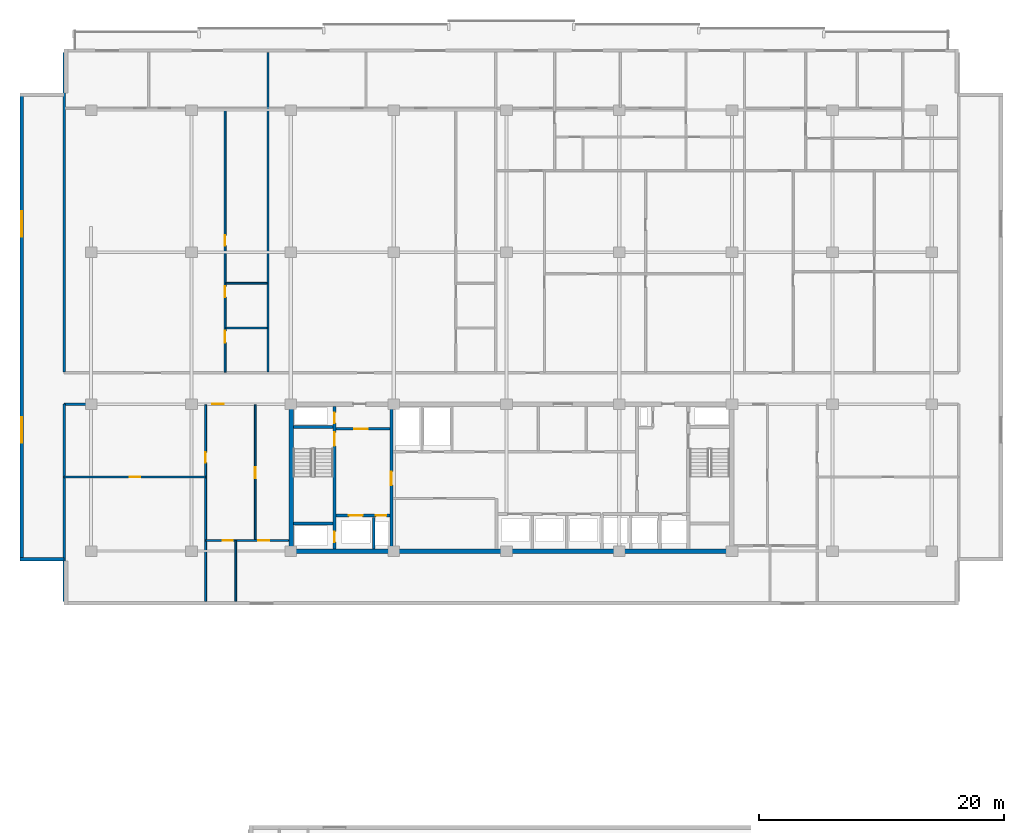
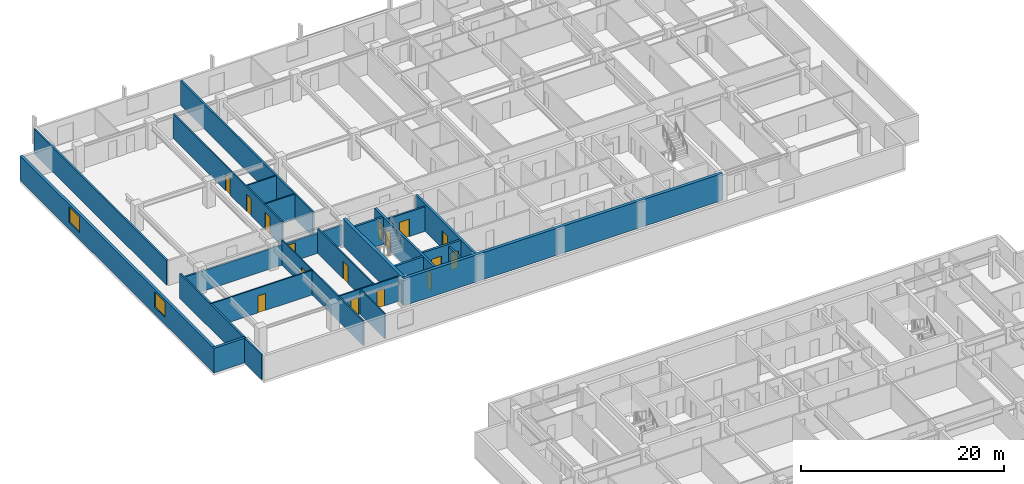
# One storey, part 11 of 22: 23 walls, 16 doors, 2 windows, 18 openings.
"""IFC4 building model written with IfcOpenShell, lengths in metres."""

from ifc_helpers import new_model, si_unit, direction, frame, frame_2d, origin, place, context, subcontext, project, spatial, rectangle, extrude, material, layer, layer_set, type_object, element, fill, save


model = new_model("IFC4")

# Units and contexts
model_context = context("Model", 3, precision=1e-05, world=origin(), true_north=direction((0.0, 1.0)))
body_context = subcontext(model_context, "Body", "Model", "MODEL_VIEW")
ifc_project = project(units=[si_unit("LENGTHUNIT", "METRE"), si_unit("AREAUNIT", "SQUARE_METRE"), si_unit("VOLUMEUNIT", "CUBIC_METRE"), si_unit("PLANEANGLEUNIT", "RADIAN"), si_unit("MASSUNIT", "GRAM", prefix="KILO")], contexts=[model_context])

# Site, building, storey
site_placement = place(None, origin())
site = spatial("IfcSite", under=ifc_project, at=site_placement, CompositionType="ELEMENT")
building_placement = place(site_placement, origin())
building = spatial("IfcBuilding", under=site, at=building_placement, Name="Korimba Cascade Residences", CompositionType="ELEMENT")
storey_placement = place(building_placement, frame((0.0, 0.0, 126.300048828125)))
storey = spatial("IfcBuildingStorey", under=building, at=storey_placement, Name="L36", CompositionType="ELEMENT", Elevation=126.300048828125)

# Wall, openings, windows
ifc_material_1 = material(Name="Precast concrete C40/50", Category="concrete")
ifc_layer_1 = layer(ifc_material_1, 0.300048828125)
ifc_layer_set_1 = layer_set([ifc_layer_1], Name="Precast concrete C40/50")
wall_type_1 = type_object("IfcWallType", Name="EW-STONE-300", PredefinedType="STANDARD", material=ifc_layer_set_1)
wall_1_placement = place(storey_placement, frame((54.14990234375, 92.60009765625, 0.0), z_axis=(0.0, 0.0, 1.0), x_axis=(0.0, -1.0, 0.0)))
wall_1 = element("IfcWall", 1, at=wall_1_placement, inside=storey, type_object=wall_type_1, Name="L36 T1 Perimeter Stone Wall E09", PredefinedType="STANDARD", context=body_context, shape_type="SweptSolid", body=[
    extrude(rectangle(XDim=38.2001953125, YDim=0.300048828125, at=frame_2d((19.10009765625, 0.0))), origin(), (0.0, 0.0, 1.0), 2.969970703125),
])
opening_1_placement = place(wall_1_placement, frame((9.64599609375, 0.0, 0.85009765625)))
opening_1 = element("IfcOpeningElement", 2, at=opening_1_placement, cuts=wall_1, Name="Opening W-03", PredefinedType="OPENING", context=body_context, shape_type="SweptSolid", body=[
    extrude(rectangle(XDim=2.10009765625, YDim=1.85009765625, at=frame_2d((1.050048828125, 0.925048828125))), frame((0.0, 0.16015625, 0.0), z_axis=(0.0, -1.0, 0.0), x_axis=(1.0, 0.0, 0.0)), (0.0, 0.0, 1.0), 0.320068359375),
])
opening_2_placement = place(wall_1_placement, frame((26.4541015625, 0.0, 0.85009765625)))
opening_2 = element("IfcOpeningElement", 3, at=opening_2_placement, cuts=wall_1, Name="Opening W-03", PredefinedType="OPENING", context=body_context, shape_type="SweptSolid", body=[
    extrude(rectangle(XDim=2.10009765625, YDim=1.85009765625, at=frame_2d((1.050048828125, 0.925048828125))), frame((0.0, 0.16015625, 0.0), z_axis=(0.0, -1.0, 0.0), x_axis=(1.0, 0.0, 0.0)), (0.0, 0.0, 1.0), 0.320068359375),
])
ifc_material_2 = material(Name="Double-Glazed Aluminium Window", Category="aluminium")
window_type = type_object("IfcWindowType", Name="WIN-CRN-2100", PartitioningType="DOUBLE_PANEL_HORIZONTAL", PredefinedType="WINDOW", material=ifc_material_2)
window_1_placement = place(opening_1_placement, origin())
window_1 = element("IfcWindow", 4, at=window_1_placement, inside=storey, type_object=window_type, Name="L36 T1 End View Window 9.1", OverallHeight=1.85009765625, OverallWidth=2.10009765625, PartitioningType="DOUBLE_PANEL_HORIZONTAL", PredefinedType="WINDOW", context=body_context, shape_type="SweptSolid", body=[
    extrude(rectangle(XDim=2.10009765625, YDim=1.85009765625, at=frame_2d((1.050048828125, 0.925048828125))), frame((0.0, 0.030029296875, 0.0), z_axis=(0.0, -1.0, 0.0), x_axis=(1.0, 0.0, 0.0)), (0.0, 0.0, 1.0), 0.06005859375),
])
fill(opening_1, window_1)
window_2_placement = place(opening_2_placement, origin())
window_2 = element("IfcWindow", 5, at=window_2_placement, inside=storey, type_object=window_type, Name="L36 T1 End View Window 9.2", OverallHeight=1.85009765625, OverallWidth=2.10009765625, PartitioningType="DOUBLE_PANEL_HORIZONTAL", PredefinedType="WINDOW", context=body_context, shape_type="SweptSolid", body=[
    extrude(rectangle(XDim=2.10009765625, YDim=1.85009765625, at=frame_2d((1.050048828125, 0.925048828125))), frame((0.0, 0.030029296875, 0.0), z_axis=(0.0, -1.0, 0.0), x_axis=(1.0, 0.0, 0.0)), (0.0, 0.0, 1.0), 0.06005859375),
])
fill(opening_2, window_2)

# Walls
wall_2_placement = place(storey_placement, frame((54.0, 54.550048828125, 0.0), z_axis=(0.0, 0.0, 1.0), x_axis=(1.0, 0.0, 0.0)))
element("IfcWall", 6, at=wall_2_placement, inside=storey, type_object=wall_type_1, Name="L36 T1 Perimeter Stone Wall E10", PredefinedType="STANDARD", context=body_context, shape_type="SweptSolid", body=[
    extrude(rectangle(XDim=3.60009765625, YDim=0.300048828125, at=frame_2d((1.800048828125, 0.0))), origin(), (0.0, 0.0, 1.0), 2.969970703125),
])
ifc_material_3 = material(Name="Concrete C65/80", Category="concrete")
ifc_layer_2 = layer(ifc_material_3, 0.35009765625)
ifc_layer_set_2 = layer_set([ifc_layer_2], Name="Concrete C65/80")
wall_type_2 = type_object("IfcWallType", Name="WAL-CORE-350", PredefinedType="SHEAR", material=ifc_layer_set_2)
wall_3_placement = place(storey_placement, frame((75.949951171875, 55.199951171875, 0.0), z_axis=(0.0, 0.0, 1.0), x_axis=(1.0, 0.0, 0.0)))
element("IfcWall", 7, at=wall_3_placement, inside=storey, type_object=wall_type_2, Name="L36 Core Shear Wall CW-L36-T1-S", PredefinedType="SHEAR", context=body_context, shape_type="SweptSolid", body=[
    extrude(rectangle(XDim=36.300048828125, YDim=0.35009765625, at=frame_2d((18.14990234375, 0.0))), origin(), (0.0, 0.0, 1.0), 3.25),
])
wall_4_placement = place(storey_placement, frame((76.125, 55.375, 0.0), z_axis=(0.0, 0.0, 1.0), x_axis=(0.0, 1.0, 0.0)))
element("IfcWall", 8, at=wall_4_placement, inside=storey, type_object=wall_type_2, Name="L36 Core Shear Wall CW-L36-T1-W", PredefinedType="SHEAR", context=body_context, shape_type="SweptSolid", body=[
    extrude(rectangle(XDim=11.64990234375, YDim=0.35009765625, at=frame_2d((5.824951171875, 0.0))), origin(), (0.0, 0.0, 1.0), 3.25),
])
ifc_layer_3 = layer(ifc_material_1, 0.199951171875)
ifc_layer_set_3 = layer_set([ifc_layer_3], Name="Precast concrete C40/50")
wall_type_3 = type_object("IfcWallType", Name="WAL-IT-200", PredefinedType="PARTITIONING", material=ifc_layer_set_3)
wall_5_placement = place(storey_placement, frame((57.60009765625, 51.10009765625, 0.0), z_axis=(0.0, 0.0, 1.0), x_axis=(0.0, 1.0, 0.0)))
element("IfcWall", 9, at=wall_5_placement, inside=storey, type_object=wall_type_3, Name="L36 Partition Wall WAL-L36-T1-FW-WL", PredefinedType="PARTITIONING", context=body_context, shape_type="SweptSolid", body=[
    extrude(rectangle(XDim=16.099853515625, YDim=0.199951171875, at=frame_2d((8.0498046875, 0.0))), origin(), (0.0, 0.0, 1.0), 2.969970703125),
])

# Wall, opening, door
wall_6_placement = place(storey_placement, frame((57.60009765625, 67.199951171875, 0.0), z_axis=(0.0, 0.0, 1.0), x_axis=(1.0, 0.0, 0.0)))
wall_6 = element("IfcWall", 10, at=wall_6_placement, inside=storey, type_object=wall_type_3, Name="L36 Partition Wall WAL-L36-T1-FW-N", PredefinedType="PARTITIONING", context=body_context, shape_type="SweptSolid", body=[
    extrude(rectangle(XDim=18.349853515625, YDim=0.199951171875, at=frame_2d((9.1748046875, 0.0))), origin(), (0.0, 0.0, 1.0), 2.433349609375),
])
opening_3_placement = place(wall_6_placement, frame((12.07470703125, 0.0, 0.0)))
opening_3 = element("IfcOpeningElement", 11, at=opening_3_placement, cuts=wall_6, Name="Opening D-UN1", PredefinedType="OPENING", context=body_context, shape_type="SweptSolid", body=[
    extrude(rectangle(XDim=0.949951171875, YDim=2.14990234375, at=frame_2d((0.47509765625, 1.074951171875))), frame((0.0, 0.10986328125, 0.0), z_axis=(0.0, -1.0, 0.0), x_axis=(1.0, 0.0, 0.0)), (0.0, 0.0, 1.0), 0.219970703125),
])
ifc_material_4 = material(Name="Fire-Rated Hardwood Apartment Entrance Door", Category="wood")
door_type_1 = type_object("IfcDoorType", Name="DR-FD60-950", OperationType="NOTDEFINED", PredefinedType="DOOR", material=ifc_material_4)
door_1_placement = place(opening_3_placement, origin())
door_1 = element("IfcDoor", 12, at=door_1_placement, inside=storey, type_object=door_type_1, Name="L36-T1-FW Entrance Door", OperationType="SINGLE_SWING_RIGHT", OverallHeight=2.14990234375, OverallWidth=0.949951171875, PredefinedType="DOOR", context=body_context, shape_type="SweptSolid", body=[
    extrude(rectangle(XDim=0.949951171875, YDim=2.14990234375, at=frame_2d((0.47509765625, 1.074951171875))), frame((0.0, 0.02490234375, 0.0), z_axis=(0.0, -1.0, 0.0), x_axis=(1.0, 0.0, 0.0)), (0.0, 0.0, 1.0), 0.050048828125),
])
fill(opening_3, door_1)

# Walls
for number, where, z_axis, x_axis, name in (
    (13, (57.60009765625, 69.830078125, 0.0), (0.0, 0.0, 1.0), (0.0, 1.0, 0.0), "L36 Partition Wall WAL-L36-T1-BNDWL"),
    (14, (74.237548828125, 69.830078125, 0.0), (0.0, 0.0, 1.0), (0.0, 1.0, 0.0), "L36 Partition Wall WAL-L36-T1-DEM-1"),
):
    element("IfcWall", number, at=place(storey_placement, frame(where, z_axis=z_axis, x_axis=x_axis)), inside=storey, type_object=wall_type_3, Name=name, PredefinedType="PARTITIONING", context=body_context, shape_type="SweptSolid", body=[
        extrude(rectangle(XDim=26.06982421875, YDim=0.199951171875, at=frame_2d((13.034912109375, 0.0))), origin(), (0.0, 0.0, 1.0), 2.969970703125),
    ])

# Wall, opening, door
ifc_material_5 = material(Name="Insulated Acoustic Stud Partition", Category="gypsum")
ifc_layer_4 = layer(ifc_material_5, 0.14990234375)
ifc_layer_set_4 = layer_set([ifc_layer_4], Name="Insulated Acoustic Stud Partition")
wall_type_4 = type_object("IfcWallType", Name="WAL-PART-150", PredefinedType="PARTITIONING", material=ifc_layer_set_4)
wall_7_placement = place(storey_placement, frame((57.60009765625, 61.25, 0.0), z_axis=(0.0, 0.0, 1.0), x_axis=(1.0, 0.0, 0.0)))
wall_7 = element("IfcWall", 15, at=wall_7_placement, inside=storey, type_object=wall_type_4, Name="L36 Partition Wall WAL-L36-T1-FW-STH", PredefinedType="PARTITIONING", context=body_context, shape_type="SweptSolid", body=[
    extrude(rectangle(XDim=11.5498046875, YDim=0.14990234375, at=frame_2d((5.77490234375, 0.0))), origin(), (0.0, 0.0, 1.0), 2.969970703125),
])
opening_4_placement = place(wall_7_placement, frame((5.35498046875, 0.0, 0.0)))
opening_4 = element("IfcOpeningElement", 16, at=opening_4_placement, cuts=wall_7, Name="Opening D-BT1", PredefinedType="OPENING", context=body_context, shape_type="SweptSolid", body=[
    extrude(rectangle(XDim=0.840087890625, YDim=2.0400390625, at=frame_2d((0.419921875, 1.02001953125))), frame((0.0, 0.0849609375, 0.0), z_axis=(0.0, -1.0, 0.0), x_axis=(1.0, 0.0, 0.0)), (0.0, 0.0, 1.0), 0.169921875),
])
ifc_material_6 = material(Name="Moisture-Resistant Bathroom Timber Door", Category="wood")
door_type_2 = type_object("IfcDoorType", Name="DR-INT-850", OperationType="NOTDEFINED", PredefinedType="DOOR", material=ifc_material_6)
door_2_placement = place(opening_4_placement, origin())
door_2 = element("IfcDoor", 17, at=door_2_placement, inside=storey, type_object=door_type_2, Name="L36-T1-FW Dressing Store Door", OperationType="SINGLE_SWING_LEFT", OverallHeight=2.0400390625, OverallWidth=0.840087890625, PredefinedType="DOOR", context=body_context, shape_type="SweptSolid", body=[
    extrude(rectangle(XDim=0.840087890625, YDim=2.0400390625, at=frame_2d((0.419921875, 1.02001953125))), frame((0.0, 0.02490234375, 0.0), z_axis=(0.0, -1.0, 0.0), x_axis=(1.0, 0.0, 0.0)), (0.0, 0.0, 1.0), 0.050048828125),
])
fill(opening_4, door_2)

wall_8_placement = place(storey_placement, frame((69.14990234375, 51.10009765625, 0.0), z_axis=(0.0, 0.0, 1.0), x_axis=(0.0, 1.0, 0.0)))
wall_8 = element("IfcWall", 18, at=wall_8_placement, inside=storey, type_object=wall_type_4, Name="L36 Partition Wall WAL-L36-T1-FW-STV", PredefinedType="PARTITIONING", context=body_context, shape_type="SweptSolid", body=[
    extrude(rectangle(XDim=16.0498046875, YDim=0.14990234375, at=frame_2d((8.02490234375, 0.0))), origin(), (0.0, 0.0, 1.0), 2.969970703125),
])
opening_5_placement = place(wall_8_placement, frame((11.300048828125, 0.0, 0.0)))
opening_5 = element("IfcOpeningElement", 19, at=opening_5_placement, cuts=wall_8, Name="Opening D-IN2", PredefinedType="OPENING", context=body_context, shape_type="SweptSolid", body=[
    extrude(rectangle(XDim=0.8798828125, YDim=2.06005859375, at=frame_2d((0.43994140625, 1.030029296875))), frame((0.0, 0.0849609375, 0.0), z_axis=(0.0, -1.0, 0.0), x_axis=(1.0, 0.0, 0.0)), (0.0, 0.0, 1.0), 0.169921875),
])
ifc_material_7 = material(Name="Acoustic Timber Bedroom Door", Category="wood")
door_type_3 = type_object("IfcDoorType", Name="DR-INT-880", OperationType="NOTDEFINED", PredefinedType="DOOR", material=ifc_material_7)
door_3_placement = place(opening_5_placement, origin())
door_3 = element("IfcDoor", 20, at=door_3_placement, inside=storey, type_object=door_type_3, Name="L36-T1-FW Study Door", OperationType="SINGLE_SWING_RIGHT", OverallHeight=2.06005859375, OverallWidth=0.8798828125, PredefinedType="DOOR", context=body_context, shape_type="SweptSolid", body=[
    extrude(rectangle(XDim=0.8798828125, YDim=2.06005859375, at=frame_2d((0.43994140625, 1.030029296875))), frame((0.0, 0.02490234375, 0.0), z_axis=(0.0, -1.0, 0.0), x_axis=(1.0, 0.0, 0.0)), (0.0, 0.0, 1.0), 0.050048828125),
])
fill(opening_5, door_3)

wall_9_placement = place(storey_placement, frame((73.199951171875, 56.070068359375, 0.0), z_axis=(0.0, 0.0, 1.0), x_axis=(0.0, 1.0, 0.0)))
wall_9 = element("IfcWall", 21, at=wall_9_placement, inside=storey, type_object=wall_type_4, Name="L36 Partition Wall WAL-L36-T1-FW-VN", PredefinedType="PARTITIONING", context=body_context, shape_type="SweptSolid", body=[
    extrude(rectangle(XDim=11.079833984375, YDim=0.14990234375, at=frame_2d((5.5400390625, 0.0))), origin(), (0.0, 0.0, 1.0), 2.969970703125),
])
opening_6_placement = place(wall_9_placement, frame((5.080078125, 0.0, 0.0)))
opening_6 = element("IfcOpeningElement", 22, at=opening_6_placement, cuts=wall_9, Name="Opening D-IN1", PredefinedType="OPENING", context=body_context, shape_type="SweptSolid", body=[
    extrude(rectangle(XDim=0.919921875, YDim=2.080078125, at=frame_2d((0.4599609375, 1.0400390625))), frame((0.0, 0.0849609375, 0.0), z_axis=(0.0, -1.0, 0.0), x_axis=(1.0, 0.0, 0.0)), (0.0, 0.0, 1.0), 0.169921875),
])
ifc_material_8 = material(Name="Acoustic Timber Living Door", Category="wood")
door_type_4 = type_object("IfcDoorType", Name="DR-INT-920", OperationType="NOTDEFINED", PredefinedType="DOOR", material=ifc_material_8)
door_4_placement = place(opening_6_placement, origin())
door_4 = element("IfcDoor", 23, at=door_4_placement, inside=storey, type_object=door_type_4, Name="L36-T1-FW Living Door", OperationType="SINGLE_SWING_LEFT", OverallHeight=2.080078125, OverallWidth=0.919921875, PredefinedType="DOOR", context=body_context, shape_type="SweptSolid", body=[
    extrude(rectangle(XDim=0.919921875, YDim=2.080078125, at=frame_2d((0.4599609375, 1.0400390625))), frame((0.0, 0.02490234375, 0.0), z_axis=(0.0, -1.0, 0.0), x_axis=(1.0, 0.0, 0.0)), (0.0, 0.0, 1.0), 0.050048828125),
])
fill(opening_6, door_4)

# Wall
wall_10_placement = place(storey_placement, frame((71.60009765625, 51.10009765625, 0.0), z_axis=(0.0, 0.0, 1.0), x_axis=(0.0, 1.0, 0.0)))
element("IfcWall", 24, at=wall_10_placement, inside=storey, type_object=wall_type_4, Name="L36 Partition Wall WAL-L36-T1-FW-VS", PredefinedType="PARTITIONING", context=body_context, shape_type="SweptSolid", body=[
    extrude(rectangle(XDim=4.969970703125, YDim=0.14990234375, at=frame_2d((2.48486328125, 0.0))), origin(), (0.0, 0.0, 1.0), 2.969970703125),
])

# Wall, openings, doors
wall_11_placement = place(storey_placement, frame((69.169921875, 56.070068359375, 0.0), z_axis=(0.0, 0.0, 1.0), x_axis=(1.0, 0.0, 0.0)))
wall_11 = element("IfcWall", 25, at=wall_11_placement, inside=storey, type_object=wall_type_4, Name="L36 Partition Wall WAL-L36-T1-FW-H", PredefinedType="PARTITIONING", context=body_context, shape_type="SweptSolid", body=[
    extrude(rectangle(XDim=6.760009765625, YDim=0.14990234375, at=frame_2d((3.3798828125, 0.0))), origin(), (0.0, 0.0, 1.0), 2.969970703125),
])
opening_7_placement = place(wall_11_placement, frame((1.3623046875, 0.0, 0.0)))
opening_7 = element("IfcOpeningElement", 26, at=opening_7_placement, cuts=wall_11, Name="Opening D-BT1", PredefinedType="OPENING", context=body_context, shape_type="SweptSolid", body=[
    extrude(rectangle(XDim=0.840087890625, YDim=2.0400390625, at=frame_2d((0.419921875, 1.02001953125))), frame((0.0, 0.0849609375, 0.0), z_axis=(0.0, -1.0, 0.0), x_axis=(1.0, 0.0, 0.0)), (0.0, 0.0, 1.0), 0.169921875),
])
opening_8_placement = place(wall_11_placement, frame((4.276611328125, 0.0, 0.0)))
opening_8 = element("IfcOpeningElement", 27, at=opening_8_placement, cuts=wall_11, Name="Opening D-IN2", PredefinedType="OPENING", context=body_context, shape_type="SweptSolid", body=[
    extrude(rectangle(XDim=0.8798828125, YDim=2.06005859375, at=frame_2d((0.43994140625, 1.030029296875))), frame((0.0, 0.0849609375, 0.0), z_axis=(0.0, -1.0, 0.0), x_axis=(1.0, 0.0, 0.0)), (0.0, 0.0, 1.0), 0.169921875),
])
door_5_placement = place(opening_7_placement, origin())
door_5 = element("IfcDoor", 28, at=door_5_placement, inside=storey, type_object=door_type_2, Name="L36-T1-FW Bathroom Door", OperationType="SINGLE_SWING_RIGHT", OverallHeight=2.0400390625, OverallWidth=0.840087890625, PredefinedType="DOOR", context=body_context, shape_type="SweptSolid", body=[
    extrude(rectangle(XDim=0.840087890625, YDim=2.0400390625, at=frame_2d((0.419921875, 1.02001953125))), frame((0.0, 0.02490234375, 0.0), z_axis=(0.0, -1.0, 0.0), x_axis=(1.0, 0.0, 0.0)), (0.0, 0.0, 1.0), 0.050048828125),
])
fill(opening_7, door_5)
door_6_placement = place(opening_8_placement, origin())
door_6 = element("IfcDoor", 29, at=door_6_placement, inside=storey, type_object=door_type_3, Name="L36-T1-FW Bedroom Door", OperationType="SINGLE_SWING_LEFT", OverallHeight=2.06005859375, OverallWidth=0.8798828125, PredefinedType="DOOR", context=body_context, shape_type="SweptSolid", body=[
    extrude(rectangle(XDim=0.8798828125, YDim=2.06005859375, at=frame_2d((0.43994140625, 1.030029296875))), frame((0.0, 0.02490234375, 0.0), z_axis=(0.0, -1.0, 0.0), x_axis=(1.0, 0.0, 0.0)), (0.0, 0.0, 1.0), 0.050048828125),
])
fill(opening_8, door_6)

# Walls
for number, where, z_axis, x_axis, name in (
    (30, (70.797607421875, 73.419921875, 0.0), (0.0, 0.0, 1.0), (1.0, 0.0, 0.0), "L36 Partition Wall WAL-L36-T1-U01-WCH"),
    (31, (70.797607421875, 77.070068359375, 0.0), (0.0, 0.0, 1.0), (1.0, 0.0, 0.0), "L36 Partition Wall WAL-L36-T1-U01-WCH2"),
):
    element("IfcWall", number, at=place(storey_placement, frame(where, z_axis=z_axis, x_axis=x_axis)), inside=storey, type_object=wall_type_4, Name=name, PredefinedType="PARTITIONING", context=body_context, shape_type="SweptSolid", body=[
        extrude(rectangle(XDim=3.35986328125, YDim=0.14990234375, at=frame_2d((1.679931640625, 0.0))), origin(), (0.0, 0.0, 1.0), 2.969970703125),
    ])

# Wall, openings, doors
wall_12_placement = place(storey_placement, frame((70.737548828125, 69.81005859375, 0.0), z_axis=(0.0, 0.0, 1.0), x_axis=(0.0, 1.0, 0.0)))
wall_12 = element("IfcWall", 32, at=wall_12_placement, inside=storey, type_object=wall_type_4, Name="L36 Partition Wall WAL-L36-T1-U01-WCV", PredefinedType="PARTITIONING", context=body_context, shape_type="SweptSolid", body=[
    extrude(rectangle(XDim=21.47998046875, YDim=0.14990234375, at=frame_2d((10.739990234375, 0.0))), origin(), (0.0, 0.0, 1.0), 2.969970703125),
])
opening_9_placement = place(wall_12_placement, frame((2.406005859375, 0.0, 0.0)))
opening_9 = element("IfcOpeningElement", 33, at=opening_9_placement, cuts=wall_12, Name="Opening D-AC1", PredefinedType="OPENING", context=body_context, shape_type="SweptSolid", body=[
    extrude(rectangle(XDim=0.9599609375, YDim=2.10009765625, at=frame_2d((0.47998046875, 1.050048828125))), frame((0.0, 0.0849609375, 0.0), z_axis=(0.0, -1.0, 0.0), x_axis=(1.0, 0.0, 0.0)), (0.0, 0.0, 1.0), 0.169921875),
])
opening_10_placement = place(wall_12_placement, frame((6.132568359375, 0.0, 0.0)))
opening_10 = element("IfcOpeningElement", 34, at=opening_10_placement, cuts=wall_12, Name="Opening D-IN2", PredefinedType="OPENING", context=body_context, shape_type="SweptSolid", body=[
    extrude(rectangle(XDim=0.8798828125, YDim=2.06005859375, at=frame_2d((0.43994140625, 1.030029296875))), frame((0.0, 0.0849609375, 0.0), z_axis=(0.0, -1.0, 0.0), x_axis=(1.0, 0.0, 0.0)), (0.0, 0.0, 1.0), 0.169921875),
])
opening_11_placement = place(wall_12_placement, frame((10.320068359375, 0.0, 0.0)))
opening_11 = element("IfcOpeningElement", 35, at=opening_11_placement, cuts=wall_12, Name="Opening D-BT1", PredefinedType="OPENING", context=body_context, shape_type="SweptSolid", body=[
    extrude(rectangle(XDim=0.840087890625, YDim=2.0400390625, at=frame_2d((0.419921875, 1.02001953125))), frame((0.0, 0.0849609375, 0.0), z_axis=(0.0, -1.0, 0.0), x_axis=(1.0, 0.0, 0.0)), (0.0, 0.0, 1.0), 0.169921875),
])
ifc_material_9 = material(Name="Accessible Acoustic Timber WC Door", Category="wood")
door_type_5 = type_object("IfcDoorType", Name="DR-ACC-950", OperationType="NOTDEFINED", PredefinedType="DOOR", material=ifc_material_9)
door_7_placement = place(opening_9_placement, origin())
door_7 = element("IfcDoor", 36, at=door_7_placement, inside=storey, type_object=door_type_5, Name="L36-T1-U01 Accessible WC Door", OperationType="SINGLE_SWING_LEFT", OverallHeight=2.10009765625, OverallWidth=0.9599609375, PredefinedType="DOOR", context=body_context, shape_type="SweptSolid", body=[
    extrude(rectangle(XDim=0.9599609375, YDim=2.10009765625, at=frame_2d((0.47998046875, 1.050048828125))), frame((0.0, 0.02490234375, 0.0), z_axis=(0.0, -1.0, 0.0), x_axis=(1.0, 0.0, 0.0)), (0.0, 0.0, 1.0), 0.050048828125),
])
fill(opening_9, door_7)
door_8_placement = place(opening_11_placement, origin())
door_8 = element("IfcDoor", 37, at=door_8_placement, inside=storey, type_object=door_type_2, Name="L36-T1-U01 Suite Store Door", OperationType="SINGLE_SWING_LEFT", OverallHeight=2.0400390625, OverallWidth=0.840087890625, PredefinedType="DOOR", context=body_context, shape_type="SweptSolid", body=[
    extrude(rectangle(XDim=0.840087890625, YDim=2.0400390625, at=frame_2d((0.419921875, 1.02001953125))), frame((0.0, 0.02490234375, 0.0), z_axis=(0.0, -1.0, 0.0), x_axis=(1.0, 0.0, 0.0)), (0.0, 0.0, 1.0), 0.050048828125),
])
fill(opening_11, door_8)
door_9_placement = place(opening_10_placement, origin())
door_9 = element("IfcDoor", 38, at=door_9_placement, inside=storey, type_object=door_type_3, Name="L36-T1-U01 Restroom WC Door", OperationType="SINGLE_SWING_RIGHT", OverallHeight=2.06005859375, OverallWidth=0.8798828125, PredefinedType="DOOR", context=body_context, shape_type="SweptSolid", body=[
    extrude(rectangle(XDim=0.8798828125, YDim=2.06005859375, at=frame_2d((0.43994140625, 1.030029296875))), frame((0.0, 0.02490234375, 0.0), z_axis=(0.0, -1.0, 0.0), x_axis=(1.0, 0.0, 0.0)), (0.0, 0.0, 1.0), 0.050048828125),
])
fill(opening_10, door_9)

# Wall
ifc_material_10 = material(Name="Concrete C40/50", Category="concrete")
ifc_layer_5 = layer(ifc_material_10, 0.199951171875)
ifc_layer_set_5 = layer_set([ifc_layer_5], Name="Concrete C40/50")
wall_type_5 = type_object("IfcWallType", Name="WAL-PART-200", PredefinedType="PARTITIONING", material=ifc_layer_set_5)
wall_13_placement = place(storey_placement, frame((82.85009765625, 55.39990234375, 0.0), z_axis=(0.0, 0.0, 1.0), x_axis=(0.0, 1.0, 0.0)))
element("IfcWall", 39, at=wall_13_placement, inside=storey, type_object=wall_type_5, Name="L36 Partition Wall CW-L36-T1-FFLDIV", PredefinedType="PARTITIONING", context=body_context, shape_type="SweptSolid", body=[
    extrude(rectangle(XDim=2.56005859375, YDim=0.199951171875, at=frame_2d((1.280029296875, 0.0))), origin(), (0.0, 0.0, 1.0), 2.969970703125),
])

# Wall, opening, door
wall_14_placement = place(storey_placement, frame((79.7900390625, 65.179931640625, 0.0), z_axis=(0.0, 0.0, 1.0), x_axis=(1.0, 0.0, 0.0)))
wall_14 = element("IfcWall", 40, at=wall_14_placement, inside=storey, type_object=wall_type_5, Name="L36 Partition Wall CW-L36-T1-FFLN", PredefinedType="PARTITIONING", context=body_context, shape_type="SweptSolid", body=[
    extrude(rectangle(XDim=4.389892578125, YDim=0.199951171875, at=frame_2d((2.19482421875, 0.0))), origin(), (0.0, 0.0, 1.0), 2.969970703125),
])
opening_12_placement = place(wall_14_placement, frame((1.5, 0.0, 0.0)))
opening_12 = element("IfcOpeningElement", 41, at=opening_12_placement, cuts=wall_14, Name="Opening D-FD1", PredefinedType="OPENING", context=body_context, shape_type="SweptSolid", body=[
    extrude(rectangle(XDim=1.10009765625, YDim=2.10009765625, at=frame_2d((0.550048828125, 1.050048828125))), frame((0.0, 0.10986328125, 0.0), z_axis=(0.0, -1.0, 0.0), x_axis=(1.0, 0.0, 0.0)), (0.0, 0.0, 1.0), 0.219970703125),
])
ifc_material_11 = material(Name="Fire-Rated Steel Core Door", Category="steel")
door_type_6 = type_object("IfcDoorType", Name="DR-FD120-1100", OperationType="NOTDEFINED", PredefinedType="DOOR", material=ifc_material_11)
door_10_placement = place(opening_12_placement, origin())
door_10 = element("IfcDoor", 42, at=door_10_placement, inside=storey, type_object=door_type_6, Name="L36 West Firefighting Lobby Door", OperationType="SINGLE_SWING_RIGHT", OverallHeight=2.10009765625, OverallWidth=1.10009765625, PredefinedType="DOOR", context=body_context, shape_type="SweptSolid", body=[
    extrude(rectangle(XDim=1.10009765625, YDim=2.10009765625, at=frame_2d((0.550048828125, 1.050048828125))), frame((0.0, 0.02490234375, 0.0), z_axis=(0.0, -1.0, 0.0), x_axis=(1.0, 0.0, 0.0)), (0.0, 0.0, 1.0), 0.050048828125),
])
fill(opening_12, door_10)

# Wall, openings, doors
ifc_material_12 = material(Name="Concrete C50/60", Category="concrete")
ifc_layer_6 = layer(ifc_material_12, 0.25)
ifc_layer_set_6 = layer_set([ifc_layer_6], Name="Concrete C50/60")
wall_type_6 = type_object("IfcWallType", Name="WAL-SHAFT-250", PredefinedType="SHEAR", material=ifc_layer_set_6)
wall_15_placement = place(storey_placement, frame((79.6650390625, 55.39990234375, 0.0), z_axis=(0.0, 0.0, 1.0), x_axis=(0.0, 1.0, 0.0)))
wall_15 = element("IfcWall", 43, at=wall_15_placement, inside=storey, type_object=wall_type_6, Name="L36 Core Shear Wall CW-L36-T1-STW1E", PredefinedType="SHEAR", context=body_context, shape_type="SweptSolid", body=[
    extrude(rectangle(XDim=11.60009765625, YDim=0.25, at=frame_2d((5.800048828125, 0.0))), origin(), (0.0, 0.0, 1.0), 3.25),
])
opening_13_placement = place(wall_15_placement, frame((0.550048828125, 0.0, 0.0)))
opening_13 = element("IfcOpeningElement", 44, at=opening_13_placement, cuts=wall_15, Name="Opening D-RS1", PredefinedType="OPENING", context=body_context, shape_type="SweptSolid", body=[
    extrude(rectangle(XDim=0.85009765625, YDim=2.050048828125, at=frame_2d((0.425048828125, 1.02490234375))), frame((0.0, 0.135009765625, 0.0), z_axis=(0.0, -1.0, 0.0), x_axis=(1.0, 0.0, 0.0)), (0.0, 0.0, 1.0), 0.27001953125),
])
opening_14_placement = place(wall_15_placement, frame((8.39990234375, 0.0, 0.0)))
opening_14 = element("IfcOpeningElement", 45, at=opening_14_placement, cuts=wall_15, Name="Opening D-FD1", PredefinedType="OPENING", context=body_context, shape_type="SweptSolid", body=[
    extrude(rectangle(XDim=1.10009765625, YDim=2.10009765625, at=frame_2d((0.550048828125, 1.050048828125))), frame((0.0, 0.135009765625, 0.0), z_axis=(0.0, -1.0, 0.0), x_axis=(1.0, 0.0, 0.0)), (0.0, 0.0, 1.0), 0.27001953125),
])
opening_15_placement = place(wall_15_placement, frame((10.25, 0.0, 0.0)))
opening_15 = element("IfcOpeningElement", 46, at=opening_15_placement, cuts=wall_15, Name="Opening D-RS1", PredefinedType="OPENING", context=body_context, shape_type="SweptSolid", body=[
    extrude(rectangle(XDim=0.85009765625, YDim=2.050048828125, at=frame_2d((0.425048828125, 1.02490234375))), frame((0.0, 0.135009765625, 0.0), z_axis=(0.0, -1.0, 0.0), x_axis=(1.0, 0.0, 0.0)), (0.0, 0.0, 1.0), 0.27001953125),
])
door_11_placement = place(opening_14_placement, origin())
door_11 = element("IfcDoor", 47, at=door_11_placement, inside=storey, type_object=door_type_6, Name="L36 Fire Stair ST-W1 Door", OperationType="SINGLE_SWING_LEFT", OverallHeight=2.10009765625, OverallWidth=1.10009765625, PredefinedType="DOOR", context=body_context, shape_type="SweptSolid", body=[
    extrude(rectangle(XDim=1.10009765625, YDim=2.10009765625, at=frame_2d((0.550048828125, 1.050048828125))), frame((0.0, 0.02490234375, 0.0), z_axis=(0.0, -1.0, 0.0), x_axis=(1.0, 0.0, 0.0)), (0.0, 0.0, 1.0), 0.050048828125),
])
fill(opening_14, door_11)
ifc_material_13 = material(Name="Fire-Rated Steel Riser Access Door", Category="steel")
door_type_7 = type_object("IfcDoorType", Name="DR-FD60-850", OperationType="NOTDEFINED", PredefinedType="DOOR", material=ifc_material_13)
door_12_placement = place(opening_13_placement, origin())
door_12 = element("IfcDoor", 48, at=door_12_placement, inside=storey, type_object=door_type_7, Name="L36 Smoke Riser Access Door", OperationType="SINGLE_SWING_RIGHT", OverallHeight=2.050048828125, OverallWidth=0.85009765625, PredefinedType="DOOR", context=body_context, shape_type="SweptSolid", body=[
    extrude(rectangle(XDim=0.85009765625, YDim=2.050048828125, at=frame_2d((0.425048828125, 1.02490234375))), frame((0.0, 0.02490234375, 0.0), z_axis=(0.0, -1.0, 0.0), x_axis=(1.0, 0.0, 0.0)), (0.0, 0.0, 1.0), 0.050048828125),
])
fill(opening_13, door_12)
door_13_placement = place(opening_15_placement, origin())
door_13 = element("IfcDoor", 49, at=door_13_placement, inside=storey, type_object=door_type_7, Name="L36 Hydrant Riser Access Door", OperationType="SINGLE_SWING_RIGHT", OverallHeight=2.050048828125, OverallWidth=0.85009765625, PredefinedType="DOOR", context=body_context, shape_type="SweptSolid", body=[
    extrude(rectangle(XDim=0.85009765625, YDim=2.050048828125, at=frame_2d((0.425048828125, 1.02490234375))), frame((0.0, 0.02490234375, 0.0), z_axis=(0.0, -1.0, 0.0), x_axis=(1.0, 0.0, 0.0)), (0.0, 0.0, 1.0), 0.050048828125),
])
fill(opening_15, door_13)

# Walls
for number, where, z_axis, x_axis, name in (
    (50, (76.300048828125, 57.47509765625, 0.0), (0.0, 0.0, 1.0), (1.0, 0.0, 0.0), "L36 Core Shear Wall CW-L36-T1-STW1S"),
    (51, (76.300048828125, 65.324951171875, 0.0), (0.0, 0.0, 1.0), (1.0, 0.0, 0.0), "L36 Core Shear Wall CW-L36-T1-STW1N"),
):
    element("IfcWall", number, at=place(storey_placement, frame(where, z_axis=z_axis, x_axis=x_axis)), inside=storey, type_object=wall_type_6, Name=name, PredefinedType="SHEAR", context=body_context, shape_type="SweptSolid", body=[
        extrude(rectangle(XDim=3.239990234375, YDim=0.25, at=frame_2d((1.6201171875, 0.0))), origin(), (0.0, 0.0, 1.0), 3.25),
    ])

# Wall, openings, doors
wall_16_placement = place(storey_placement, frame((79.7900390625, 58.10009765625, 0.0), z_axis=(0.0, 0.0, 1.0), x_axis=(1.0, 0.0, 0.0)))
wall_16 = element("IfcWall", 52, at=wall_16_placement, inside=storey, type_object=wall_type_6, Name="L36 Core Shear Wall CW-L36-T1-FFLS", PredefinedType="SHEAR", context=body_context, shape_type="SweptSolid", body=[
    extrude(rectangle(XDim=4.389892578125, YDim=0.25, at=frame_2d((2.19482421875, 0.0))), origin(), (0.0, 0.0, 1.0), 3.25),
])
opening_16_placement = place(wall_16_placement, frame((1.050048828125, 0.0, 0.0)))
opening_16 = element("IfcOpeningElement", 53, at=opening_16_placement, cuts=wall_16, Name="Opening LD-01", PredefinedType="OPENING", context=body_context, shape_type="SweptSolid", body=[
    extrude(rectangle(XDim=1.1201171875, YDim=2.1201171875, at=frame_2d((0.56005859375, 1.06005859375))), frame((0.0, 0.135009765625, 0.0), z_axis=(0.0, -1.0, 0.0), x_axis=(1.0, 0.0, 0.0)), (0.0, 0.0, 1.0), 0.27001953125),
])
opening_17_placement = place(wall_16_placement, frame((3.260009765625, 0.0, 0.0)))
opening_17 = element("IfcOpeningElement", 54, at=opening_17_placement, cuts=wall_16, Name="Opening D-RS1", PredefinedType="OPENING", context=body_context, shape_type="SweptSolid", body=[
    extrude(rectangle(XDim=0.85009765625, YDim=2.050048828125, at=frame_2d((0.425048828125, 1.02490234375))), frame((0.0, 0.135009765625, 0.0), z_axis=(0.0, -1.0, 0.0), x_axis=(1.0, 0.0, 0.0)), (0.0, 0.0, 1.0), 0.27001953125),
])
door_14_placement = place(opening_17_placement, origin())
door_14 = element("IfcDoor", 55, at=door_14_placement, inside=storey, type_object=door_type_7, Name="L36 Pressurisation Riser Door", OperationType="SINGLE_SWING_LEFT", OverallHeight=2.050048828125, OverallWidth=0.85009765625, PredefinedType="DOOR", context=body_context, shape_type="SweptSolid", body=[
    extrude(rectangle(XDim=0.85009765625, YDim=2.050048828125, at=frame_2d((0.425048828125, 1.02490234375))), frame((0.0, 0.02490234375, 0.0), z_axis=(0.0, -1.0, 0.0), x_axis=(1.0, 0.0, 0.0)), (0.0, 0.0, 1.0), 0.050048828125),
])
fill(opening_17, door_14)
ifc_material_14 = material(Name="Stainless Steel Lift Landing Sliding Door", Category="steel")
door_type_8 = type_object("IfcDoorType", Name="DR-LIFT-1100", OperationType="NOTDEFINED", PredefinedType="DOOR", material=ifc_material_14)
door_15_placement = place(opening_16_placement, origin())
door_15 = element("IfcDoor", 56, at=door_15_placement, inside=storey, type_object=door_type_8, Name="L36 Firefighting Lift Landing Door FFL-W1", OperationType="SLIDING_TO_LEFT", OverallHeight=2.1201171875, OverallWidth=1.1201171875, PredefinedType="DOOR", context=body_context, shape_type="SweptSolid", body=[
    extrude(rectangle(XDim=1.1201171875, YDim=2.1201171875, at=frame_2d((0.56005859375, 1.06005859375))), frame((0.0, 0.02490234375, 0.0), z_axis=(0.0, -1.0, 0.0), x_axis=(1.0, 0.0, 0.0)), (0.0, 0.0, 1.0), 0.050048828125),
])
fill(opening_16, door_15)

# Wall, opening, door
wall_17_placement = place(storey_placement, frame((84.300048828125, 55.39990234375, 0.0), z_axis=(0.0, 0.0, 1.0), x_axis=(0.0, 1.0, 0.0)))
wall_17 = element("IfcWall", 57, at=wall_17_placement, inside=storey, type_object=wall_type_6, Name="L36 Core Shear Wall CW-L36-T1-FFLE", PredefinedType="SHEAR", context=body_context, shape_type="SweptSolid", body=[
    extrude(rectangle(XDim=11.60009765625, YDim=0.25, at=frame_2d((5.800048828125, 0.0))), origin(), (0.0, 0.0, 1.0), 3.25),
])
opening_18_placement = place(wall_17_placement, frame((5.199951171875, 0.0, 0.0)))
opening_18 = element("IfcOpeningElement", 58, at=opening_18_placement, cuts=wall_17, Name="Opening D-FD1", PredefinedType="OPENING", context=body_context, shape_type="SweptSolid", body=[
    extrude(rectangle(XDim=1.10009765625, YDim=2.10009765625, at=frame_2d((0.550048828125, 1.050048828125))), frame((0.0, 0.135009765625, 0.0), z_axis=(0.0, -1.0, 0.0), x_axis=(1.0, 0.0, 0.0)), (0.0, 0.0, 1.0), 0.27001953125),
])
door_16_placement = place(opening_18_placement, origin())
door_16 = element("IfcDoor", 59, at=door_16_placement, inside=storey, type_object=door_type_6, Name="L36 Firefighting Lobby to Lift Lobby Door", OperationType="SINGLE_SWING_LEFT", OverallHeight=2.10009765625, OverallWidth=1.10009765625, PredefinedType="DOOR", context=body_context, shape_type="SweptSolid", body=[
    extrude(rectangle(XDim=1.10009765625, YDim=2.10009765625, at=frame_2d((0.550048828125, 1.050048828125))), frame((0.0, 0.02490234375, 0.0), z_axis=(0.0, -1.0, 0.0), x_axis=(1.0, 0.0, 0.0)), (0.0, 0.0, 1.0), 0.050048828125),
])
fill(opening_18, door_16)

save(model, "model.ifc")
